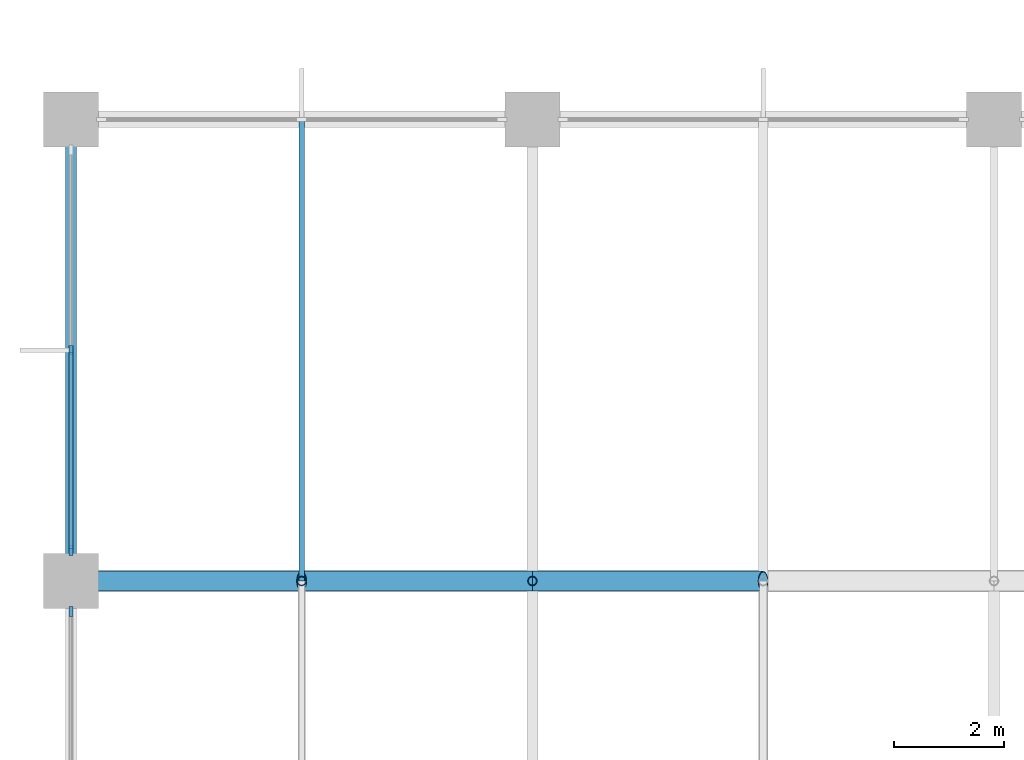
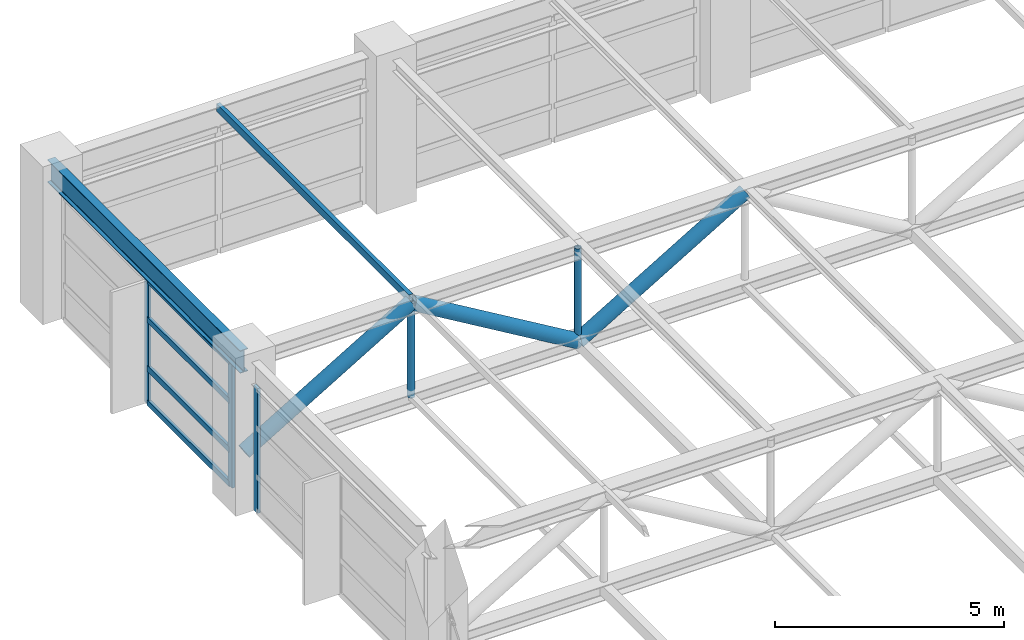
# One storey, part 14 of 32: 13 members, 1 beam, 2 elements without a shape of their own.
"""IFC4 building model written with IfcOpenShell, lengths in metres."""

from ifc_helpers import new_model, si_unit, direction, frame, origin, origin_2d, place, context, subcontext, project, spatial, rectangle, hollow_rectangle, hollow_circle, i_section, extrude, material, material_profile, profile_set, type_object, element, aggregate, save


model = new_model("IFC4")

# Units and contexts
model_context = context("Model", 3, precision=1e-05, world=origin(), true_north=direction((0.0, 1.0)))
body_context = subcontext(model_context, "Body", "Model", "MODEL_VIEW")
ifc_project = project(units=[si_unit("LENGTHUNIT", "METRE"), si_unit("AREAUNIT", "SQUARE_METRE"), si_unit("VOLUMEUNIT", "CUBIC_METRE"), si_unit("PLANEANGLEUNIT", "RADIAN"), si_unit("MASSUNIT", "GRAM", prefix="KILO")], contexts=[model_context])

# Site, building, storey
site_placement = place(None, origin())
site = spatial("IfcSite", under=ifc_project, at=site_placement, CompositionType="ELEMENT")
building_placement = place(site_placement, origin())
building = spatial("IfcBuilding", under=site, at=building_placement, Name="Xuanlan Plaza Opera House", CompositionType="ELEMENT")
storey_placement = place(building_placement, frame((0.0, 0.0, 40.5)))
storey = spatial("IfcBuildingStorey", under=building, at=storey_placement, Name="L09", CompositionType="ELEMENT", Elevation=40.5)

# Curtain wall, members
ifc_material_1 = material(Name="Anodised Aluminium 6063-T6 and Low-E Glass", Category="aluminium")
curtain_wall_type = type_object("IfcCurtainWallType", Name="ENV-CW-CW-05", PredefinedType="USERDEFINED", material=ifc_material_1)
curtain_wall_1_placement = place(storey_placement, origin())
curtain_wall_1 = element("IfcCurtainWall", 1, at=curtain_wall_1_placement, inside=storey, type_object=curtain_wall_type, Name="Acoustic Glazed Wall FLY-L09-11", ObjectType="ACOUSTIC GLAZED WALL", PredefinedType="USERDEFINED")
ifc_material_2 = material(Name="Anodised Aluminium 6063-T6", Category="aluminium")
ifc_material_profile_1 = material_profile(ifc_material_2, rectangle(XDim=0.070068359375, YDim=0.179931640625, at=origin_2d()), Name="ALU-M 70x180")
ifc_profile_set_1 = profile_set([ifc_material_profile_1], Name="Anodised Aluminium 6063-T6")
member_type_1 = type_object("IfcMemberType", Name="ENV-CWM-02", PredefinedType="MULLION", material=ifc_profile_set_1)
member_1_placement = place(storey_placement, frame((42.0, 71.39990234375, 0.0), z_axis=(0.0, 0.0, 1.0), x_axis=(1.0, 0.0, 0.0)))
member_1 = element("IfcMember", 2, at=member_1_placement, type_object=member_type_1, Name="CW-05 mullion 2", PredefinedType="MULLION", context=body_context, shape_type="SweptSolid", body=[
    extrude(rectangle(XDim=0.070068359375, YDim=0.179931640625, at=origin_2d()), origin(), (0.0, 0.0, 1.0), 3.320068359375),
])
member_2_placement = place(storey_placement, frame((42.0, 67.7548828125, 0.0), z_axis=(0.0, 0.0, 1.0), x_axis=(1.0, 0.0, 0.0)))
member_2 = element("IfcMember", 3, at=member_2_placement, type_object=member_type_1, Name="CW-05 mullion 3", PredefinedType="MULLION", context=body_context, shape_type="SweptSolid", body=[
    extrude(rectangle(XDim=0.070068359375, YDim=0.179931640625, at=origin_2d()), origin(), (0.0, 0.0, 1.0), 3.320068359375),
])

# Curtain wall, member
curtain_wall_2_placement = place(storey_placement, origin())
curtain_wall_2 = element("IfcCurtainWall", 4, at=curtain_wall_2_placement, inside=storey, type_object=curtain_wall_type, Name="Acoustic Glazed Wall FLY-L09-12", ObjectType="ACOUSTIC GLAZED WALL", PredefinedType="USERDEFINED")
member_3_placement = place(storey_placement, frame((42.0, 66.64501953125, 0.0), z_axis=(0.0, 0.0, 1.0), x_axis=(1.0, 0.0, 0.0)))
member_3 = element("IfcMember", 5, at=member_3_placement, type_object=member_type_1, Name="CW-05 mullion 1", PredefinedType="MULLION", context=body_context, shape_type="SweptSolid", body=[
    extrude(rectangle(XDim=0.070068359375, YDim=0.179931640625, at=origin_2d()), origin(), (0.0, 0.0, 1.0), 3.320068359375),
])
aggregate(curtain_wall_2, [member_3])

# Member
ifc_material_profile_2 = material_profile(ifc_material_2, rectangle(XDim=0.074951171875, YDim=0.14990234375, at=origin_2d()), Name="ALU-T 75x150")
ifc_profile_set_2 = profile_set([ifc_material_profile_2], Name="Anodised Aluminium 6063-T6")
member_type_2 = type_object("IfcMemberType", Name="ENV-CWT-03", PredefinedType="USERDEFINED", material=ifc_profile_set_2)
member_4_placement = place(storey_placement, frame((42.0, 71.364990234375, 0.03759765625), z_axis=(0.0, -1.0, 0.0), x_axis=(1.0, 0.0, 0.0)))
member_4 = element("IfcMember", 6, at=member_4_placement, type_object=member_type_2, Name="CW-05 transom 2.1", ObjectType="TRANSOM", PredefinedType="USERDEFINED", context=body_context, shape_type="SweptSolid", body=[
    extrude(rectangle(XDim=0.074951171875, YDim=0.14990234375, at=origin_2d()), origin(), (0.0, 0.0, 1.0), 3.574951171875),
])

member_5_placement = place(storey_placement, frame((42.0, 71.364990234375, 0.949951171875), z_axis=(0.0, -1.0, 0.0), x_axis=(1.0, 0.0, 0.0)))
member_5 = element("IfcMember", 7, at=member_5_placement, type_object=member_type_2, Name="CW-05 transom 2.2", ObjectType="TRANSOM", PredefinedType="USERDEFINED", context=body_context, shape_type="SweptSolid", body=[
    extrude(rectangle(XDim=0.074951171875, YDim=0.14990234375, at=origin_2d()), origin(), (0.0, 0.0, 1.0), 3.574951171875),
])

member_6_placement = place(storey_placement, frame((42.0, 71.364990234375, 2.25), z_axis=(0.0, -1.0, 0.0), x_axis=(1.0, 0.0, 0.0)))
member_6 = element("IfcMember", 8, at=member_6_placement, type_object=member_type_2, Name="CW-05 transom 2.3", ObjectType="TRANSOM", PredefinedType="USERDEFINED", context=body_context, shape_type="SweptSolid", body=[
    extrude(rectangle(XDim=0.074951171875, YDim=0.14990234375, at=origin_2d()), origin(), (0.0, 0.0, 1.0), 3.574951171875),
])

member_7_placement = place(storey_placement, frame((42.0, 71.364990234375, 3.282470703125), z_axis=(0.0, -1.0, 0.0), x_axis=(1.0, 0.0, 0.0)))
member_7 = element("IfcMember", 9, at=member_7_placement, type_object=member_type_2, Name="CW-05 transom 2.4", ObjectType="TRANSOM", PredefinedType="USERDEFINED", context=body_context, shape_type="SweptSolid", body=[
    extrude(rectangle(XDim=0.074951171875, YDim=0.14990234375, at=origin_2d()), origin(), (0.0, 0.0, 1.0), 3.574951171875),
])

aggregate(curtain_wall_1, [member_1, member_2, member_4, member_5, member_6, member_7])

# Beam
ifc_material_3 = material(Name="Steel Q355B", Category="steel")
ifc_material_profile_3 = material_profile(ifc_material_3, i_section(OverallWidth=0.199951171875, OverallDepth=0.60009765625, WebThickness=0.010986328125, FlangeThickness=0.01708984375, FilletRadius=0.02197265625, at=origin_2d()), Name="HN 600x200x11x17")
ifc_profile_set_3 = profile_set([ifc_material_profile_3], Name="Steel Q355B")
beam_type = type_object("IfcBeamType", Name="STR-BM-SB-04", PredefinedType="BEAM", material=ifc_profile_set_3)
beam_placement = place(storey_placement, frame((42.0, 67.199951171875, 3.659912109375), z_axis=(0.0, 1.0, 0.0), x_axis=(-1.0, 0.0, 0.0)))
element("IfcBeam", 10, at=beam_placement, inside=storey, type_object=beam_type, Name="Fly Tower Ring Beam Y L09 6/I-J", PredefinedType="BEAM", context=body_context, shape_type="SweptSolid", body=[
    extrude(i_section(OverallWidth=0.199951171875, OverallDepth=0.60009765625, WebThickness=0.010986328125, FlangeThickness=0.01708984375, FilletRadius=0.02197265625, at=origin_2d()), origin(), (0.0, 0.0, 1.0), 8.400146484375),
])

# Members
ifc_material_profile_4 = material_profile(ifc_material_3, hollow_circle(Radius=0.177734375, WallThickness=0.01611328125, at=origin_2d()), Name="CHS 355.6x16")
ifc_profile_set_4 = profile_set([ifc_material_profile_4], Name="Steel Q355B")
member_type_3 = type_object("IfcMemberType", Name="STR-MEM-BR-02", PredefinedType="BRACE", material=ifc_profile_set_4)
for number, where, z_axis, x_axis, name in (
    (11, (42.0, 67.199951171875, 1.251953125), (0.859290270856, 0.0, 0.511488250512), (0.0, 1.0, 0.0), "Stage Roof Truss STG-03 Web Diagonal 1"),
    (12, (46.199951171875, 67.199951171875, 3.751953125), (0.859290270856, 0.0, -0.511488250512), (0.0, 1.0, 0.0), "Stage Roof Truss STG-03 Web Diagonal 2"),
):
    element("IfcMember", number, at=place(storey_placement, frame(where, z_axis=z_axis, x_axis=x_axis)), inside=storey, type_object=member_type_3, Name=name, PredefinedType="BRACE", context=body_context, shape_type="SweptSolid", body=[
        extrude(hollow_circle(Radius=0.177734375, WallThickness=0.01611328125, at=origin_2d()), origin(), (0.0, 0.0, 1.0), 4.8876953125),
    ])
member_8_placement = place(storey_placement, frame((50.39990234375, 67.199951171875, 1.251953125), z_axis=(0.859303337952, 0.0, 0.511466297409), x_axis=(0.0, 1.0, 0.0)))
element("IfcMember", 13, at=member_8_placement, inside=storey, type_object=member_type_3, Name="Stage Roof Truss STG-03 Web Diagonal 3", PredefinedType="BRACE", context=body_context, shape_type="SweptSolid", body=[
    extrude(hollow_circle(Radius=0.177734375, WallThickness=0.01611328125, at=origin_2d()), origin(), (0.0, 0.0, 1.0), 4.887939453125),
])
ifc_material_profile_5 = material_profile(ifc_material_3, hollow_rectangle(XDim=0.10009765625, YDim=0.199951171875, WallThickness=0.008056640625, at=origin_2d()), Name="RHS 200x100x8")
ifc_profile_set_5 = profile_set([ifc_material_profile_5], Name="Steel Q355B")
member_type_4 = type_object("IfcMemberType", Name="STR-MEM-PR-02", PredefinedType="PURLIN", material=ifc_profile_set_5)
member_9_placement = place(storey_placement, frame((46.199951171875, 67.199951171875, 3.85888671875), z_axis=(0.0, 1.0, 0.0), x_axis=(-1.0, 0.0, 0.0)))
element("IfcMember", 14, at=member_9_placement, inside=storey, type_object=member_type_4, Name="Stage Gridiron Roof Purlin 4-2", PredefinedType="PURLIN", context=body_context, shape_type="SweptSolid", body=[
    extrude(hollow_rectangle(XDim=0.10009765625, YDim=0.199951171875, WallThickness=0.008056640625, at=origin_2d()), origin(), (0.0, 0.0, 1.0), 8.400146484375),
])
ifc_material_profile_6 = material_profile(ifc_material_3, hollow_circle(Radius=0.084228515625, WallThickness=0.008056640625, at=origin_2d()), Name="CHS 168.3x8")
ifc_profile_set_6 = profile_set([ifc_material_profile_6], Name="Steel Q355B")
member_type_5 = type_object("IfcMemberType", Name="STR-MEM-ST-M1", PredefinedType="STRUT", material=ifc_profile_set_6)
for number, where, z_axis, x_axis, name in (
    (15, (46.199951171875, 67.199951171875, 1.251953125), (0.0, 0.0, 1.0), (1.0, 0.0, 0.0), "Stage Roof Truss STG-03 Vertical Strut 1"),
    (16, (50.39990234375, 67.199951171875, 1.251953125), (0.0, 0.0, 1.0), (1.0, 0.0, 0.0), "Stage Roof Truss STG-03 Vertical Strut 2"),
):
    element("IfcMember", number, at=place(storey_placement, frame(where, z_axis=z_axis, x_axis=x_axis)), inside=storey, type_object=member_type_5, Name=name, PredefinedType="STRUT", context=body_context, shape_type="SweptSolid", body=[
        extrude(hollow_circle(Radius=0.084228515625, WallThickness=0.008056640625, at=origin_2d()), origin(), (0.0, 0.0, 1.0), 2.5),
    ])

save(model, "model.ifc")
